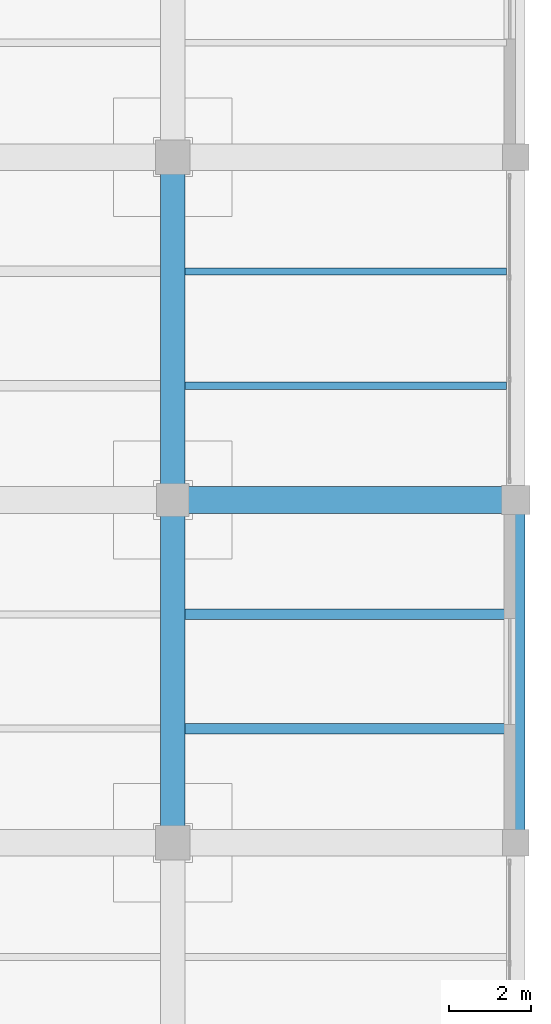
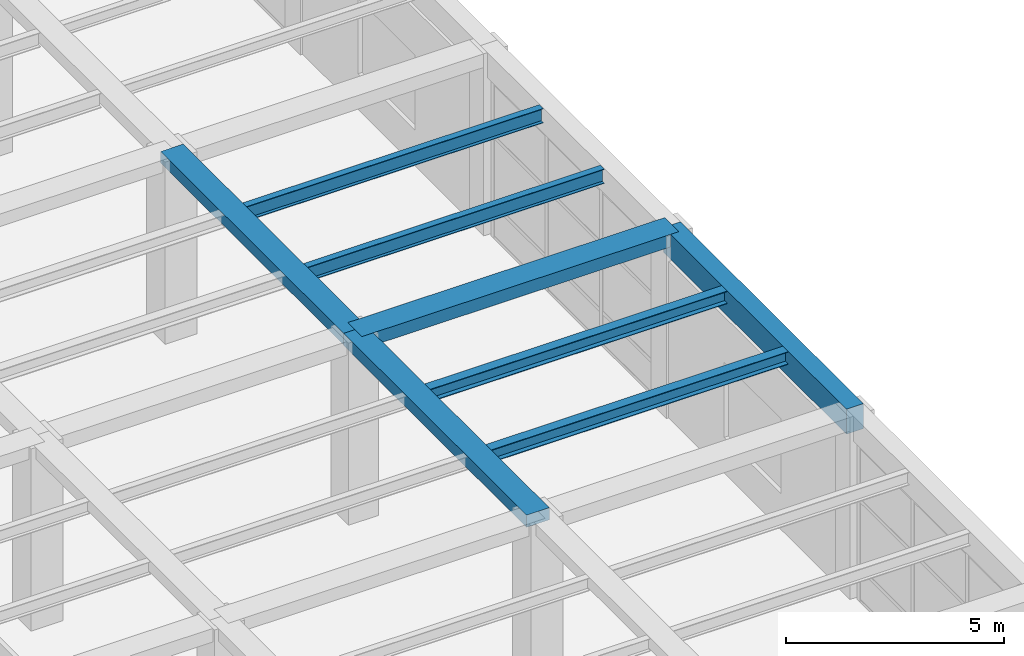
# One storey, part 35 of 65: 8 beams.
"""IFC4 building model written with IfcOpenShell, lengths in metres."""

from ifc_helpers import new_model, si_unit, direction, frame, origin, origin_2d, place, context, subcontext, project, spatial, rectangle, i_section, extrude, material, material_profile, profile_set, type_object, element, save


model = new_model("IFC4")

# Units and contexts
model_context = context("Model", 3, precision=1e-05, world=origin(), true_north=direction((0.0, 1.0)))
body_context = subcontext(model_context, "Body", "Model", "MODEL_VIEW")
ifc_project = project(units=[si_unit("LENGTHUNIT", "METRE"), si_unit("AREAUNIT", "SQUARE_METRE"), si_unit("VOLUMEUNIT", "CUBIC_METRE"), si_unit("PLANEANGLEUNIT", "RADIAN"), si_unit("MASSUNIT", "GRAM", prefix="KILO")], contexts=[model_context])

# Site, building, storey
site_placement = place(None, origin())
site = spatial("IfcSite", under=ifc_project, at=site_placement, CompositionType="ELEMENT")
building_placement = place(site_placement, origin())
building = spatial("IfcBuilding", under=site, at=building_placement, Name="Almacenes y Pasaje Nevantli", CompositionType="ELEMENT")
storey_placement = place(building_placement, frame((0.0, 0.0, 16.800048828125)))
storey = spatial("IfcBuildingStorey", under=building, at=storey_placement, Name="L04", CompositionType="ELEMENT", Elevation=16.800048828125)

# Beams
ifc_material_1 = material(Name="Concrete C35/45", Category="concrete")
ifc_material_profile_1 = material_profile(ifc_material_1, rectangle(XDim=0.449951171875, YDim=0.699951171875, at=origin_2d()), Name="RC-BM-450x700")
ifc_profile_set_1 = profile_set([ifc_material_profile_1], Name="Concrete C35/45")
beam_type_1 = type_object("IfcBeamType", Name="BM-RC-450x700", PredefinedType="SPANDREL", material=ifc_profile_set_1)
beam_1_placement = place(storey_placement, frame((168.0, 75.60009765625, 4.75), z_axis=(0.0, 1.0, 0.0), x_axis=(-1.0, 0.0, 0.0)))
element("IfcBeam", 1, at=beam_1_placement, inside=storey, type_object=beam_type_1, Name="L04 North-South Reinforced Concrete Beam #3224", PredefinedType="SPANDREL", context=body_context, shape_type="SweptSolid", body=[
    extrude(rectangle(XDim=0.449951171875, YDim=0.699951171875, at=origin_2d()), origin(), (0.0, 0.0, 1.0), 8.39990234375),
])
ifc_material_2 = material(Name="Concrete C35/45", Category="concrete")
ifc_material_profile_2 = material_profile(ifc_material_2, rectangle(XDim=0.60009765625, YDim=0.320068359375, at=origin_2d()), Name="RC-BM-600x320")
ifc_profile_set_2 = profile_set([ifc_material_profile_2], Name="Concrete C35/45")
beam_type_2 = type_object("IfcBeamType", Name="BM-RC-600x320", PredefinedType="BEAM", material=ifc_profile_set_2)
beam_2_placement = place(storey_placement, frame((159.60009765625, 84.0, 4.93994140625), z_axis=(0.0, 1.0, 0.0), x_axis=(-1.0, 0.0, 0.0)))
element("IfcBeam", 2, at=beam_2_placement, inside=storey, type_object=beam_type_2, Name="L04 North-South Reinforced Concrete Beam #3211", PredefinedType="BEAM", context=body_context, shape_type="SweptSolid", body=[
    extrude(rectangle(XDim=0.60009765625, YDim=0.320068359375, at=origin_2d()), origin(), (0.0, 0.0, 1.0), 8.39990234375),
])
ifc_material_3 = material(Name="Concrete C35/45", Category="concrete")
ifc_material_profile_3 = material_profile(ifc_material_3, rectangle(XDim=0.60009765625, YDim=0.340087890625, at=origin_2d()), Name="RC-BM-600x340")
ifc_profile_set_3 = profile_set([ifc_material_profile_3], Name="Concrete C35/45")
beam_type_3 = type_object("IfcBeamType", Name="BM-RC-600x340", PredefinedType="BEAM", material=ifc_profile_set_3)
beam_3_placement = place(storey_placement, frame((159.60009765625, 75.60009765625, 4.929931640625), z_axis=(0.0, 1.0, 0.0), x_axis=(-1.0, 0.0, 0.0)))
element("IfcBeam", 3, at=beam_3_placement, inside=storey, type_object=beam_type_3, Name="L04 North-South Reinforced Concrete Beam #3210", PredefinedType="BEAM", context=body_context, shape_type="SweptSolid", body=[
    extrude(rectangle(XDim=0.60009765625, YDim=0.340087890625, at=origin_2d()), origin(), (0.0, 0.0, 1.0), 8.39990234375),
])
ifc_material_4 = material(Name="Concrete C35/45", Category="concrete")
ifc_material_profile_4 = material_profile(ifc_material_4, rectangle(XDim=0.64990234375, YDim=0.35009765625, at=origin_2d()), Name="RC-BM-650x350")
ifc_profile_set_4 = profile_set([ifc_material_profile_4], Name="Concrete C35/45")
beam_type_4 = type_object("IfcBeamType", Name="BM-RC-650x350", PredefinedType="BEAM", material=ifc_profile_set_4)
beam_4_placement = place(storey_placement, frame((159.60009765625, 84.0, 4.925048828125), z_axis=(1.0, 0.0, 0.0), x_axis=(0.0, 1.0, 0.0)))
element("IfcBeam", 4, at=beam_4_placement, inside=storey, type_object=beam_type_4, Name="L04 East-West Reinforced Concrete Beam #2921", PredefinedType="BEAM", context=body_context, shape_type="SweptSolid", body=[
    extrude(rectangle(XDim=0.64990234375, YDim=0.35009765625, at=origin_2d()), origin(), (0.0, 0.0, 1.0), 8.39990234375),
])
ifc_material_5 = material(Name="Steel ASTM A992", Category="steel")
ifc_material_profile_5 = material_profile(ifc_material_5, i_section(OverallWidth=0.25390625, OverallDepth=0.35595703125, WebThickness=0.009521484375, FlangeThickness=0.016357421875, at=origin_2d()), Name="IR 356x79.0")
ifc_profile_set_5 = profile_set([ifc_material_profile_5], Name="Steel ASTM A992")
beam_type_5 = type_object("IfcBeamType", Name="BM-STL-IR-356x79p0", PredefinedType="JOIST", material=ifc_profile_set_5)
for number, where, z_axis, x_axis, name in (
    (5, (159.89990234375, 78.39990234375, 4.9140625), (1.0, 0.0, 0.0), (0.0, 1.0, 0.0), "L04 Secondary Steel Floor Joist #1343"),
    (6, (159.89990234375, 81.199951171875, 4.9140625), (1.0, 0.0, 0.0), (0.0, 1.0, 0.0), "L04 Secondary Steel Floor Joist #1344"),
):
    element("IfcBeam", number, at=place(storey_placement, frame(where, z_axis=z_axis, x_axis=x_axis)), inside=storey, type_object=beam_type_5, Name=name, PredefinedType="JOIST", context=body_context, shape_type="SweptSolid", body=[
        extrude(i_section(OverallWidth=0.25390625, OverallDepth=0.35595703125, WebThickness=0.009521484375, FlangeThickness=0.016357421875, at=origin_2d()), origin(), (0.0, 0.0, 1.0), 7.875),
    ])
ifc_material_6 = material(Name="Steel ASTM A992", Category="steel")
ifc_material_profile_6 = material_profile(ifc_material_6, i_section(OverallWidth=0.178955078125, OverallDepth=0.406005859375, WebThickness=0.0087890625, FlangeThickness=0.014404296875, at=origin_2d()), Name="IR 406x67.0")
ifc_profile_set_6 = profile_set([ifc_material_profile_6], Name="Steel ASTM A992")
beam_type_6 = type_object("IfcBeamType", Name="BM-STL-IR-406x67p0", PredefinedType="JOIST", material=ifc_profile_set_6)
for number, where, z_axis, x_axis, name in (
    (7, (159.89990234375, 86.800048828125, 4.888916015625), (1.0, 0.0, 0.0), (0.0, 1.0, 0.0), "L04 Secondary Steel Floor Joist #1345"),
    (8, (159.89990234375, 89.60009765625, 4.888916015625), (1.0, 0.0, 0.0), (0.0, 1.0, 0.0), "L04 Secondary Steel Floor Joist #1346"),
):
    element("IfcBeam", number, at=place(storey_placement, frame(where, z_axis=z_axis, x_axis=x_axis)), inside=storey, type_object=beam_type_6, Name=name, PredefinedType="JOIST", context=body_context, shape_type="SweptSolid", body=[
        extrude(i_section(OverallWidth=0.178955078125, OverallDepth=0.406005859375, WebThickness=0.0087890625, FlangeThickness=0.014404296875, at=origin_2d()), origin(), (0.0, 0.0, 1.0), 7.875),
    ])

save(model, "model.ifc")
